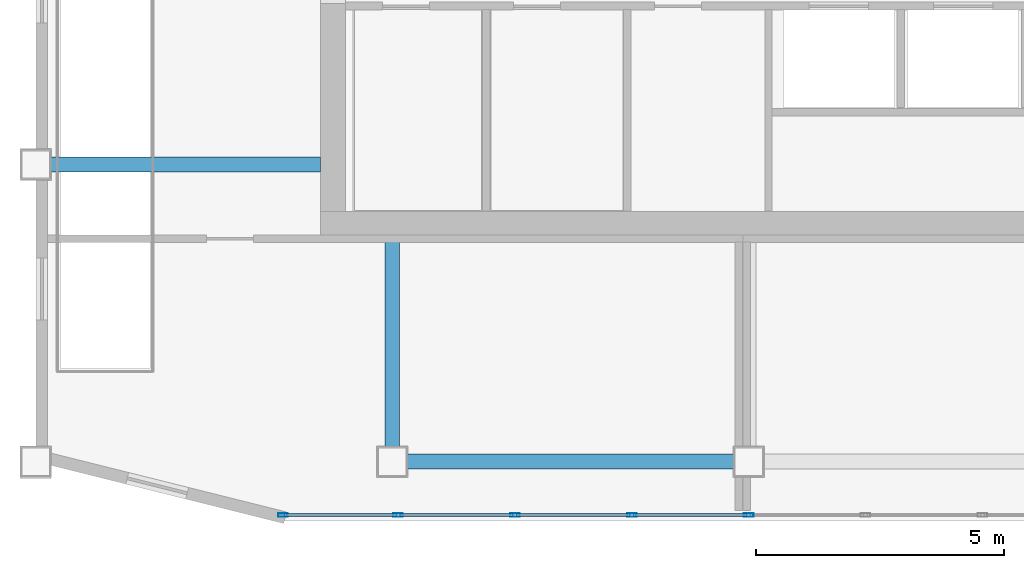
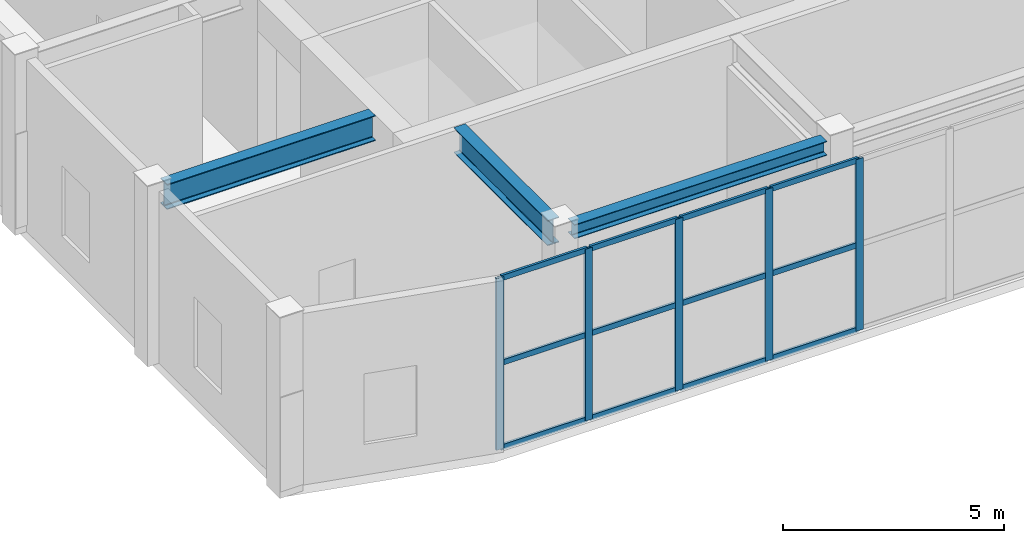
# One storey, part 2 of 11: 17 members, 3 beams, 1 element without a shape of its own.
"""IFC4 building model written with IfcOpenShell, lengths in metres."""

from ifc_helpers import new_model, si_unit, direction, frame, origin, origin_2d, place, context, subcontext, project, spatial, hollow_rectangle, i_section, extrude, material, layer, layer_set, material_profile, profile_set, type_object, element, aggregate, save


model = new_model("IFC4")

# Units and contexts
model_context = context("Model", 3, precision=1e-05, world=origin(), true_north=direction((0.0, 1.0)))
body_context = subcontext(model_context, "Body", "Model", "MODEL_VIEW")
ifc_project = project(units=[si_unit("LENGTHUNIT", "METRE"), si_unit("AREAUNIT", "SQUARE_METRE"), si_unit("VOLUMEUNIT", "CUBIC_METRE"), si_unit("PLANEANGLEUNIT", "RADIAN"), si_unit("MASSUNIT", "GRAM", prefix="KILO")], contexts=[model_context])

# Site, building, storey
site_placement = place(None, origin())
site = spatial("IfcSite", under=ifc_project, at=site_placement, CompositionType="ELEMENT")
building_placement = place(site_placement, origin())
building = spatial("IfcBuilding", under=site, at=building_placement, Name="Haolan Belvedere Tower", CompositionType="ELEMENT")
storey_placement = place(building_placement, frame((0.0, 0.0, 323.199951171875)))
storey = spatial("IfcBuildingStorey", under=building, at=storey_placement, Name="L81", CompositionType="ELEMENT", Elevation=323.199951171875)

# Beams
ifc_material_1 = material(Name="Steel Q355B", Category="steel")
ifc_material_profile_1 = material_profile(ifc_material_1, i_section(OverallWidth=0.300048828125, OverallDepth=0.389892578125, WebThickness=0.010009765625, FlangeThickness=0.01611328125, FilletRadius=0.02197265625, at=origin_2d()), Name="Steel Q355B")
ifc_profile_set_1 = profile_set([ifc_material_profile_1], Name="Steel Q355B")
beam_type_1 = type_object("IfcBeamType", Name="BM-HM390x300x10x16", PredefinedType="SPANDREL", material=ifc_profile_set_1)
beam_1_placement = place(storey_placement, frame((31.5, 21.60009765625, 4.554931640625), z_axis=(1.0, 0.0, 0.0), x_axis=(0.0, 1.0, 0.0)))
element("IfcBeam", 1, at=beam_1_placement, inside=storey, type_object=beam_type_1, Name="L81 spandrel girder MC-T3-S1-TC-T3-SM", PredefinedType="SPANDREL", context=body_context, shape_type="SweptSolid", body=[
    extrude(i_section(OverallWidth=0.300048828125, OverallDepth=0.389892578125, WebThickness=0.010009765625, FlangeThickness=0.01611328125, FilletRadius=0.02197265625, at=origin_2d()), origin(), (0.0, 0.0, 1.0), 6.60009765625),
])
ifc_material_profile_2 = material_profile(ifc_material_1, i_section(OverallWidth=0.300048828125, OverallDepth=0.699951171875, WebThickness=0.012939453125, FlangeThickness=0.02392578125, FilletRadius=0.02587890625, at=origin_2d()), Name="Steel Q355B")
ifc_profile_set_2 = profile_set([ifc_material_profile_2], Name="Steel Q355B")
beam_type_2 = type_object("IfcBeamType", Name="BM-HN700x300x13x24", PredefinedType="BEAM", material=ifc_profile_set_2)
beam_2_placement = place(storey_placement, frame((24.300048828125, 27.60009765625, 4.400146484375), z_axis=(1.0, 0.0, 0.0), x_axis=(0.0, 1.0, 0.0)))
element("IfcBeam", 2, at=beam_2_placement, inside=storey, type_object=beam_type_2, Name="L81 core tie beam from TC-T3-W1", PredefinedType="BEAM", context=body_context, shape_type="SweptSolid", body=[
    extrude(i_section(OverallWidth=0.300048828125, OverallDepth=0.699951171875, WebThickness=0.012939453125, FlangeThickness=0.02392578125, FilletRadius=0.02587890625, at=origin_2d()), origin(), (0.0, 0.0, 1.0), 5.449951171875),
])
beam_3_placement = place(storey_placement, frame((31.199951171875, 21.89990234375, 4.400146484375), z_axis=(0.0, 1.0, 0.0), x_axis=(-1.0, 0.0, 0.0)))
element("IfcBeam", 3, at=beam_3_placement, inside=storey, type_object=beam_type_2, Name="L81 core tie beam from MC-T3-S1", PredefinedType="BEAM", context=body_context, shape_type="SweptSolid", body=[
    extrude(i_section(OverallWidth=0.300048828125, OverallDepth=0.699951171875, WebThickness=0.012939453125, FlangeThickness=0.02392578125, FilletRadius=0.02587890625, at=origin_2d()), origin(), (0.0, 0.0, 1.0), 4.25),
])

# Curtain wall, members
ifc_material_2 = material(Name="Anodised champagne-silver aluminium 6063-T6 and Low-E glass", Category="aluminium")
ifc_layer = layer(ifc_material_2, 0.195068359375, Name="Anodised champagne-silver aluminium 6063-T6 and Low-E glass")
ifc_layer_set = layer_set([ifc_layer], Name="Anodised champagne-silver aluminium 6063-T6 and Low-E glass")
curtain_wall_type = type_object("IfcCurtainWallType", Name="CW-SYS-06", PredefinedType="NOTDEFINED", material=ifc_layer_set)
curtain_wall_placement = place(storey_placement, origin())
curtain_wall = element("IfcCurtainWall", 4, at=curtain_wall_placement, inside=storey, type_object=curtain_wall_type, Name="L81 CW-SYS-06 ribbon curtain wall 1.1", PredefinedType="NOTDEFINED")
ifc_material_3 = material(Name="Anodised aluminium 6063-T6", Category="aluminium")
ifc_material_profile_3 = material_profile(ifc_material_3, hollow_rectangle(XDim=0.070068359375, YDim=0.195068359375, WallThickness=0.00390625, at=origin_2d()), Name="Anodised aluminium 6063-T6")
ifc_profile_set_3 = profile_set([ifc_material_profile_3], Name="Anodised aluminium 6063-T6")
member_type_1 = type_object("IfcMemberType", Name="CW-SYS-06-MUL", PredefinedType="MULLION", material=ifc_profile_set_3)
member_1_placement = place(storey_placement, frame((28.98974609375, 20.52001953125, 0.0), z_axis=(0.0, 0.0, 1.0), x_axis=(0.0, 1.0, 0.0)))
member_1 = element("IfcMember", 5, at=member_1_placement, type_object=member_type_1, Name="CW-06 mullion 1", PredefinedType="MULLION", context=body_context, shape_type="SweptSolid", body=[
    extrude(hollow_rectangle(XDim=0.070068359375, YDim=0.195068359375, WallThickness=0.00390625, at=origin_2d()), origin(), (0.0, 0.0, 1.0), 4.75),
])
member_2_placement = place(storey_placement, frame((31.316162109375, 20.52001953125, 0.0), z_axis=(0.0, 0.0, 1.0), x_axis=(0.0, 1.0, 0.0)))
member_2 = element("IfcMember", 6, at=member_2_placement, type_object=member_type_1, Name="CW-06 mullion 2", PredefinedType="MULLION", context=body_context, shape_type="SweptSolid", body=[
    extrude(hollow_rectangle(XDim=0.070068359375, YDim=0.195068359375, WallThickness=0.00390625, at=origin_2d()), origin(), (0.0, 0.0, 1.0), 4.75),
])
member_3_placement = place(storey_placement, frame((33.677490234375, 20.52001953125, 0.0), z_axis=(0.0, 0.0, 1.0), x_axis=(0.0, 1.0, 0.0)))
member_3 = element("IfcMember", 7, at=member_3_placement, type_object=member_type_1, Name="CW-06 mullion 3", PredefinedType="MULLION", context=body_context, shape_type="SweptSolid", body=[
    extrude(hollow_rectangle(XDim=0.070068359375, YDim=0.195068359375, WallThickness=0.00390625, at=origin_2d()), origin(), (0.0, 0.0, 1.0), 4.75),
])
member_4_placement = place(storey_placement, frame((36.038818359375, 20.52001953125, 0.0), z_axis=(0.0, 0.0, 1.0), x_axis=(0.0, 1.0, 0.0)))
member_4 = element("IfcMember", 8, at=member_4_placement, type_object=member_type_1, Name="CW-06 mullion 4", PredefinedType="MULLION", context=body_context, shape_type="SweptSolid", body=[
    extrude(hollow_rectangle(XDim=0.070068359375, YDim=0.195068359375, WallThickness=0.00390625, at=origin_2d()), origin(), (0.0, 0.0, 1.0), 4.75),
])
member_5_placement = place(storey_placement, frame((38.39990234375, 20.52001953125, 0.0), z_axis=(0.0, 0.0, 1.0), x_axis=(0.0, 1.0, 0.0)))
member_5 = element("IfcMember", 9, at=member_5_placement, type_object=member_type_1, Name="CW-06 mullion 5", PredefinedType="MULLION", context=body_context, shape_type="SweptSolid", body=[
    extrude(hollow_rectangle(XDim=0.070068359375, YDim=0.195068359375, WallThickness=0.00390625, at=origin_2d()), origin(), (0.0, 0.0, 1.0), 4.75),
])
ifc_material_profile_4 = material_profile(ifc_material_3, hollow_rectangle(XDim=0.06494140625, YDim=0.14990234375, WallThickness=0.00390625, at=origin_2d()), Name="Anodised aluminium 6063-T6")
ifc_profile_set_4 = profile_set([ifc_material_profile_4], Name="Anodised aluminium 6063-T6")
member_type_2 = type_object("IfcMemberType", Name="CW-SYS-06-TRN", PredefinedType="USERDEFINED", material=ifc_profile_set_4)
member_6_placement = place(storey_placement, frame((29.02490234375, 20.52001953125, 0.032470703125), z_axis=(1.0, 0.0, 0.0), x_axis=(0.0, 1.0, 0.0)))
member_6 = element("IfcMember", 10, at=member_6_placement, type_object=member_type_2, Name="CW-06 transom 1.1", ObjectType="TRANSOM", PredefinedType="USERDEFINED", context=body_context, shape_type="SweptSolid", body=[
    extrude(hollow_rectangle(XDim=0.06494140625, YDim=0.14990234375, WallThickness=0.00390625, at=origin_2d()), origin(), (0.0, 0.0, 1.0), 2.256103515625),
])
member_7_placement = place(storey_placement, frame((29.02490234375, 20.52001953125, 2.375), z_axis=(1.0, 0.0, 0.0), x_axis=(0.0, 1.0, 0.0)))
member_7 = element("IfcMember", 11, at=member_7_placement, type_object=member_type_2, Name="CW-06 transom 1.2", ObjectType="TRANSOM", PredefinedType="USERDEFINED", context=body_context, shape_type="SweptSolid", body=[
    extrude(hollow_rectangle(XDim=0.06494140625, YDim=0.14990234375, WallThickness=0.00390625, at=origin_2d()), origin(), (0.0, 0.0, 1.0), 2.256103515625),
])
member_8_placement = place(storey_placement, frame((29.02490234375, 20.52001953125, 4.717529296875), z_axis=(1.0, 0.0, 0.0), x_axis=(0.0, 1.0, 0.0)))
member_8 = element("IfcMember", 12, at=member_8_placement, type_object=member_type_2, Name="CW-06 transom 1.3", ObjectType="TRANSOM", PredefinedType="USERDEFINED", context=body_context, shape_type="SweptSolid", body=[
    extrude(hollow_rectangle(XDim=0.06494140625, YDim=0.14990234375, WallThickness=0.00390625, at=origin_2d()), origin(), (0.0, 0.0, 1.0), 2.256103515625),
])
member_9_placement = place(storey_placement, frame((31.35107421875, 20.52001953125, 0.032470703125), z_axis=(1.0, 0.0, 0.0), x_axis=(0.0, 1.0, 0.0)))
member_9 = element("IfcMember", 13, at=member_9_placement, type_object=member_type_2, Name="CW-06 transom 2.1", ObjectType="TRANSOM", PredefinedType="USERDEFINED", context=body_context, shape_type="SweptSolid", body=[
    extrude(hollow_rectangle(XDim=0.06494140625, YDim=0.14990234375, WallThickness=0.00390625, at=origin_2d()), origin(), (0.0, 0.0, 1.0), 2.291259765625),
])
member_10_placement = place(storey_placement, frame((31.35107421875, 20.52001953125, 2.375), z_axis=(1.0, 0.0, 0.0), x_axis=(0.0, 1.0, 0.0)))
member_10 = element("IfcMember", 14, at=member_10_placement, type_object=member_type_2, Name="CW-06 transom 2.2", ObjectType="TRANSOM", PredefinedType="USERDEFINED", context=body_context, shape_type="SweptSolid", body=[
    extrude(hollow_rectangle(XDim=0.06494140625, YDim=0.14990234375, WallThickness=0.00390625, at=origin_2d()), origin(), (0.0, 0.0, 1.0), 2.291259765625),
])
member_11_placement = place(storey_placement, frame((31.35107421875, 20.52001953125, 4.717529296875), z_axis=(1.0, 0.0, 0.0), x_axis=(0.0, 1.0, 0.0)))
member_11 = element("IfcMember", 15, at=member_11_placement, type_object=member_type_2, Name="CW-06 transom 2.3", ObjectType="TRANSOM", PredefinedType="USERDEFINED", context=body_context, shape_type="SweptSolid", body=[
    extrude(hollow_rectangle(XDim=0.06494140625, YDim=0.14990234375, WallThickness=0.00390625, at=origin_2d()), origin(), (0.0, 0.0, 1.0), 2.291259765625),
])
member_12_placement = place(storey_placement, frame((33.71240234375, 20.52001953125, 0.032470703125), z_axis=(1.0, 0.0, 0.0), x_axis=(0.0, 1.0, 0.0)))
member_12 = element("IfcMember", 16, at=member_12_placement, type_object=member_type_2, Name="CW-06 transom 3.1", ObjectType="TRANSOM", PredefinedType="USERDEFINED", context=body_context, shape_type="SweptSolid", body=[
    extrude(hollow_rectangle(XDim=0.06494140625, YDim=0.14990234375, WallThickness=0.00390625, at=origin_2d()), origin(), (0.0, 0.0, 1.0), 2.291259765625),
])
member_13_placement = place(storey_placement, frame((33.71240234375, 20.52001953125, 2.375), z_axis=(1.0, 0.0, 0.0), x_axis=(0.0, 1.0, 0.0)))
member_13 = element("IfcMember", 17, at=member_13_placement, type_object=member_type_2, Name="CW-06 transom 3.2", ObjectType="TRANSOM", PredefinedType="USERDEFINED", context=body_context, shape_type="SweptSolid", body=[
    extrude(hollow_rectangle(XDim=0.06494140625, YDim=0.14990234375, WallThickness=0.00390625, at=origin_2d()), origin(), (0.0, 0.0, 1.0), 2.291259765625),
])
member_14_placement = place(storey_placement, frame((33.71240234375, 20.52001953125, 4.717529296875), z_axis=(1.0, 0.0, 0.0), x_axis=(0.0, 1.0, 0.0)))
member_14 = element("IfcMember", 18, at=member_14_placement, type_object=member_type_2, Name="CW-06 transom 3.3", ObjectType="TRANSOM", PredefinedType="USERDEFINED", context=body_context, shape_type="SweptSolid", body=[
    extrude(hollow_rectangle(XDim=0.06494140625, YDim=0.14990234375, WallThickness=0.00390625, at=origin_2d()), origin(), (0.0, 0.0, 1.0), 2.291259765625),
])
member_15_placement = place(storey_placement, frame((36.07373046875, 20.52001953125, 0.032470703125), z_axis=(1.0, 0.0, 0.0), x_axis=(0.0, 1.0, 0.0)))
member_15 = element("IfcMember", 19, at=member_15_placement, type_object=member_type_2, Name="CW-06 transom 4.1", ObjectType="TRANSOM", PredefinedType="USERDEFINED", context=body_context, shape_type="SweptSolid", body=[
    extrude(hollow_rectangle(XDim=0.06494140625, YDim=0.14990234375, WallThickness=0.00390625, at=origin_2d()), origin(), (0.0, 0.0, 1.0), 2.291259765625),
])
member_16_placement = place(storey_placement, frame((36.07373046875, 20.52001953125, 2.375), z_axis=(1.0, 0.0, 0.0), x_axis=(0.0, 1.0, 0.0)))
member_16 = element("IfcMember", 20, at=member_16_placement, type_object=member_type_2, Name="CW-06 transom 4.2", ObjectType="TRANSOM", PredefinedType="USERDEFINED", context=body_context, shape_type="SweptSolid", body=[
    extrude(hollow_rectangle(XDim=0.06494140625, YDim=0.14990234375, WallThickness=0.00390625, at=origin_2d()), origin(), (0.0, 0.0, 1.0), 2.291259765625),
])
member_17_placement = place(storey_placement, frame((36.07373046875, 20.52001953125, 4.717529296875), z_axis=(1.0, 0.0, 0.0), x_axis=(0.0, 1.0, 0.0)))
member_17 = element("IfcMember", 21, at=member_17_placement, type_object=member_type_2, Name="CW-06 transom 4.3", ObjectType="TRANSOM", PredefinedType="USERDEFINED", context=body_context, shape_type="SweptSolid", body=[
    extrude(hollow_rectangle(XDim=0.06494140625, YDim=0.14990234375, WallThickness=0.00390625, at=origin_2d()), origin(), (0.0, 0.0, 1.0), 2.291259765625),
])
aggregate(curtain_wall, [member_1, member_2, member_3, member_4, member_5, member_6, member_7, member_8, member_9, member_10, member_11, member_12, member_13, member_14, member_15, member_16, member_17])

save(model, "model.ifc")
